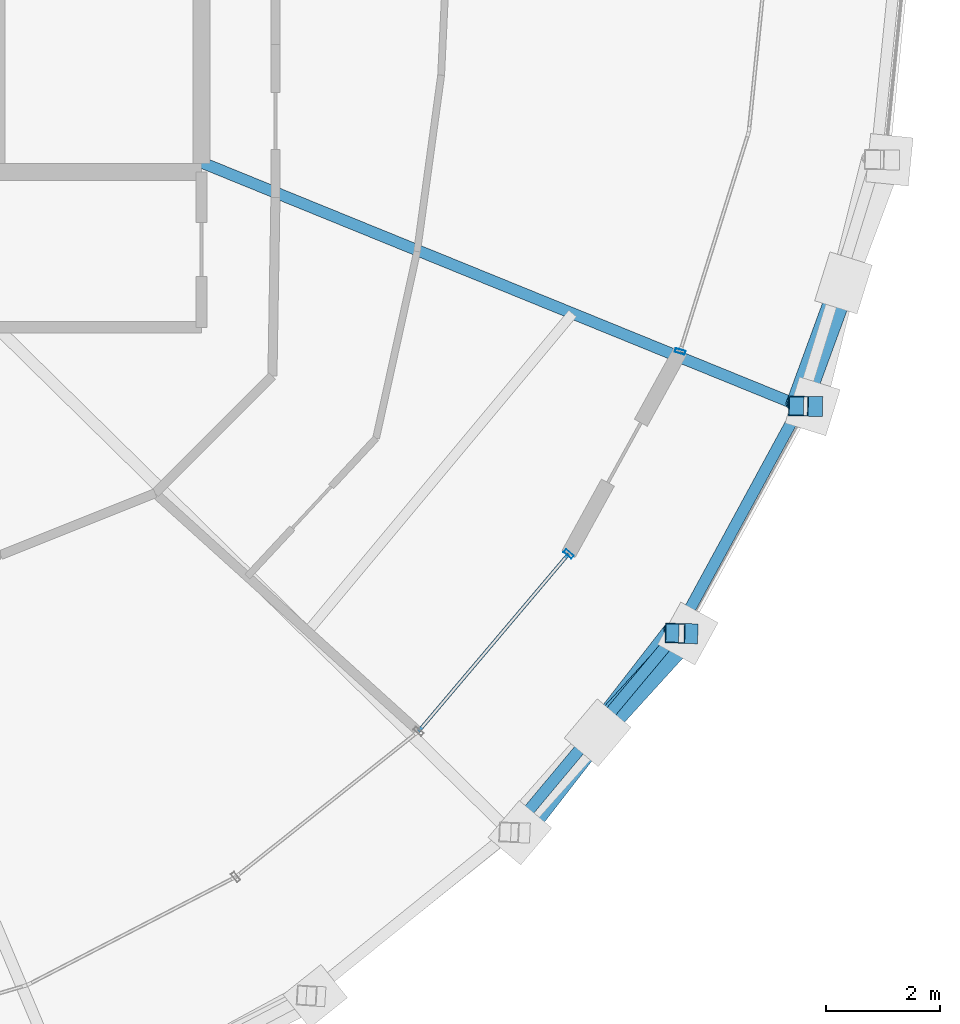
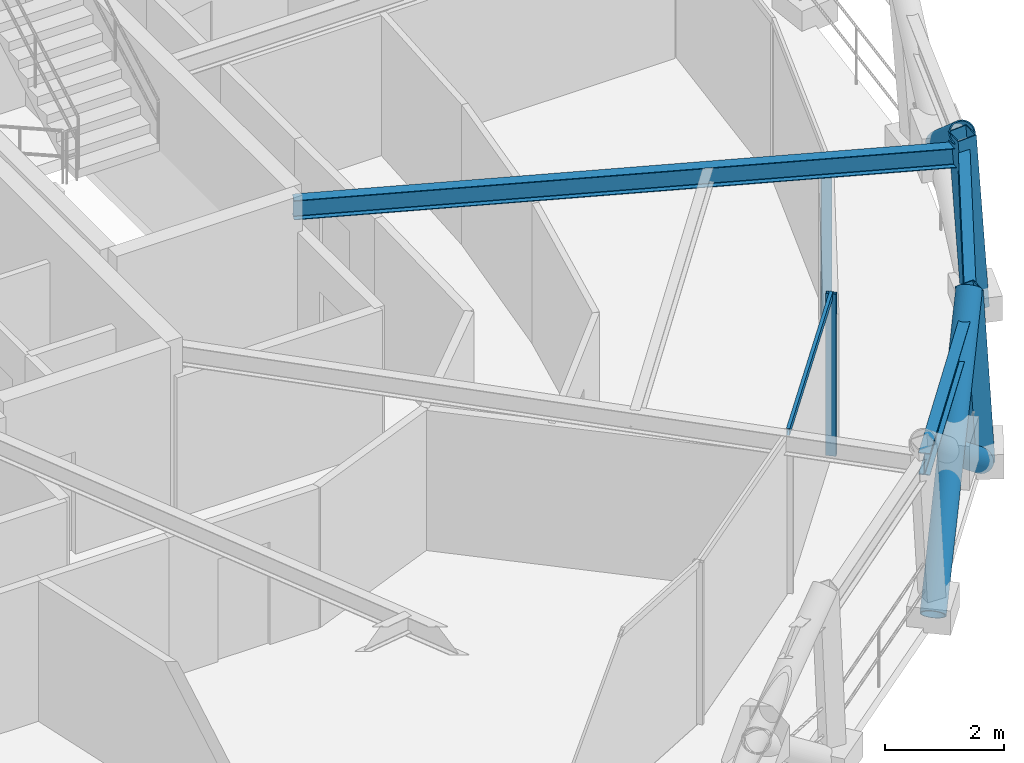
# One storey, part 5 of 16: 8 members, 3 beams, 2 elements without a shape of their own.
"""IFC4 building model written with IfcOpenShell, lengths in metres."""

from ifc_helpers import new_model, si_unit, direction, frame, origin, origin_2d, place, context, subcontext, project, spatial, hollow_rectangle, hollow_circle, i_section, extrude, material, layer, layer_set, material_profile, profile_set, type_object, element, aggregate, save


model = new_model("IFC4")

# Units and contexts
model_context = context("Model", 3, precision=1e-05, world=origin(), true_north=direction((0.0, 1.0)))
body_context = subcontext(model_context, "Body", "Model", "MODEL_VIEW")
ifc_project = project(units=[si_unit("LENGTHUNIT", "METRE"), si_unit("AREAUNIT", "SQUARE_METRE"), si_unit("VOLUMEUNIT", "CUBIC_METRE"), si_unit("PLANEANGLEUNIT", "RADIAN"), si_unit("MASSUNIT", "GRAM", prefix="KILO")], contexts=[model_context])

# Site, building, storey
site_placement = place(None, origin())
site = spatial("IfcSite", under=ifc_project, at=site_placement, CompositionType="ELEMENT")
building_placement = place(site_placement, origin())
building = spatial("IfcBuilding", under=site, at=building_placement, Name="Veldorina Hangang Commons", CompositionType="ELEMENT")
storey_placement = place(building_placement, frame((0.0, 0.0, 240.0)))
storey = spatial("IfcBuildingStorey", under=building, at=storey_placement, Name="L62", CompositionType="ELEMENT", Elevation=240.0)

# Beams
ifc_material_1 = material(Name="Steel SM355-TMC", Category="steel")
ifc_material_profile_1 = material_profile(ifc_material_1, i_section(OverallWidth=0.199951171875, OverallDepth=0.39990234375, WebThickness=0.008056640625, FlangeThickness=0.012939453125, FilletRadius=0.012939453125, at=origin_2d()), Name="H-400x200x8x13")
ifc_profile_set_1 = profile_set([ifc_material_profile_1], Name="Steel SM355-TMC")
beam_type_1 = type_object("IfcBeamType", Name="BM-FG400", PredefinedType="BEAM", material=ifc_profile_set_1)
beam_1_placement = place(storey_placement, frame((43.179931640625, 19.448974609375, 3.159912109375), z_axis=(0.926204970576, -0.37702036083, 0.0), x_axis=(0.37702036083, 0.926204970576, 0.0)))
element("IfcBeam", 1, at=beam_1_placement, inside=storey, type_object=beam_type_1, Name="L62 radial floor girder 16", PredefinedType="BEAM", context=body_context, shape_type="SweptSolid", body=[
    extrude(i_section(OverallWidth=0.199951171875, OverallDepth=0.39990234375, WebThickness=0.008056640625, FlangeThickness=0.012939453125, FilletRadius=0.012939453125, at=origin_2d()), origin(), (0.0, 0.0, 1.0), 11.358642578125),
])
ifc_material_profile_2 = material_profile(ifc_material_1, i_section(OverallWidth=0.199951171875, OverallDepth=0.449951171875, WebThickness=0.009033203125, FlangeThickness=0.013916015625, FilletRadius=0.01611328125, at=origin_2d()), Name="H-450x200x9x14")
ifc_profile_set_2 = profile_set([ifc_material_profile_2], Name="Steel SM355-TMC")
beam_type_2 = type_object("IfcBeamType", Name="BM-RB450", PredefinedType="BEAM", material=ifc_profile_set_2)
beam_2_placement = place(storey_placement, frame((48.60888671875, 7.677490234375, 3.135009765625), z_axis=(0.640942886525, 0.767588572227, 0.0), x_axis=(-0.767588572227, 0.640942886525, 0.0)))
element("IfcBeam", 2, at=beam_2_placement, inside=storey, type_object=beam_type_2, Name="L62 perimeter hoop ring beam 28", PredefinedType="BEAM", context=body_context, shape_type="SweptSolid", body=[
    extrude(i_section(OverallWidth=0.199951171875, OverallDepth=0.449951171875, WebThickness=0.009033203125, FlangeThickness=0.013916015625, FilletRadius=0.01611328125, at=origin_2d()), origin(), (0.0, 0.0, 1.0), 4.55712890625),
])
beam_3_placement = place(storey_placement, frame((51.52978515625, 11.175537109375, 3.135009765625), z_axis=(0.477793774257, 0.878472031018, 0.0), x_axis=(-0.878472031018, 0.477793774257, 0.0)))
element("IfcBeam", 3, at=beam_3_placement, inside=storey, type_object=beam_type_2, Name="L62 perimeter hoop ring beam 29", PredefinedType="BEAM", context=body_context, shape_type="SweptSolid", body=[
    extrude(i_section(OverallWidth=0.199951171875, OverallDepth=0.449951171875, WebThickness=0.009033203125, FlangeThickness=0.013916015625, FilletRadius=0.01611328125, at=origin_2d()), origin(), (0.0, 0.0, 1.0), 4.54296875),
])

# Curtain wall, member
ifc_material_2 = material(Name="Glass Low-E Selective", Category="glass")
ifc_layer = layer(ifc_material_2, 0.179931640625)
ifc_layer_set = layer_set([ifc_layer], Name="Glass Low-E Selective")
curtain_wall_type = type_object("IfcCurtainWallType", Name="CW-SYS-Z3", PredefinedType="NOTDEFINED", material=ifc_layer_set)
curtain_wall_1_placement = place(storey_placement, origin())
curtain_wall_1 = element("IfcCurtainWall", 4, at=curtain_wall_1_placement, inside=storey, type_object=curtain_wall_type, Name="L62 unitised curtain wall CW-L62-R1", PredefinedType="NOTDEFINED")
ifc_material_3 = material(Name="Aluminium Anodized AA6063-T6", Category="aluminium")
ifc_material_profile_3 = material_profile(ifc_material_3, hollow_rectangle(XDim=0.070068359375, YDim=0.179931640625, WallThickness=0.00390625, at=origin_2d()), Name="ALU-RHS-180x70x4")
ifc_profile_set_3 = profile_set([ifc_material_profile_3], Name="Aluminium Anodized AA6063-T6")
member_type_1 = type_object("IfcMemberType", Name="CW-MUL-180", PredefinedType="MULLION", material=ifc_profile_set_3)
member_1_placement = place(storey_placement, frame((49.631591796875, 12.56982421875, 0.0), z_axis=(0.0, 0.0, 1.0), x_axis=(-0.645804220899, -0.763503050596, 0.0)))
member_1 = element("IfcMember", 5, at=member_1_placement, type_object=member_type_1, Name="CW-L62-R1 vertical mullion 4", PredefinedType="MULLION", context=body_context, shape_type="SweptSolid", body=[
    extrude(hollow_rectangle(XDim=0.070068359375, YDim=0.179931640625, WallThickness=0.00390625, at=origin_2d()), origin(), (0.0, 0.0, 1.0), 3.320068359375),
])

curtain_wall_2_placement = place(storey_placement, origin())
curtain_wall_2 = element("IfcCurtainWall", 6, at=curtain_wall_2_placement, inside=storey, type_object=curtain_wall_type, Name="L62 unitised curtain wall CW-L62-R2", PredefinedType="NOTDEFINED")
member_2_placement = place(storey_placement, frame((51.59130859375, 16.126708984375, 0.0), z_axis=(0.0, 0.0, 1.0), x_axis=(0.298407850381, 0.954438449996, 0.0)))
member_2 = element("IfcMember", 7, at=member_2_placement, type_object=member_type_1, Name="CW-L62-R2 vertical mullion 1", PredefinedType="MULLION", context=body_context, shape_type="SweptSolid", body=[
    extrude(hollow_rectangle(XDim=0.070068359375, YDim=0.179931640625, WallThickness=0.00390625, at=origin_2d()), origin(), (0.0, 0.0, 1.0), 3.320068359375),
])
aggregate(curtain_wall_2, [member_2])

# Member
ifc_material_profile_4 = material_profile(ifc_material_3, hollow_rectangle(XDim=0.06005859375, YDim=0.139892578125, WallThickness=0.00341796875, at=origin_2d()), Name="ALU-RHS-140x60x3.5")
ifc_profile_set_4 = profile_set([ifc_material_profile_4], Name="Aluminium Anodized AA6063-T6")
member_type_2 = type_object("IfcMemberType", Name="CW-TRN-140", PredefinedType="USERDEFINED", material=ifc_profile_set_4)
member_3_placement = place(storey_placement, frame((46.994384765625, 9.4521484375, 3.280029296875), z_axis=(0.645824308118, 0.763486059495, 0.0), x_axis=(-0.763486059495, 0.645824308118, 0.0)))
member_3 = element("IfcMember", 8, at=member_3_placement, type_object=member_type_2, Name="CW-L62-R1 facet 4 transom 1", ObjectType="TRANSOM", PredefinedType="USERDEFINED", context=body_context, shape_type="SweptSolid", body=[
    extrude(hollow_rectangle(XDim=0.06005859375, YDim=0.139892578125, WallThickness=0.00341796875, at=origin_2d()), origin(), (0.0, 0.0, 1.0), 4.08349609375),
])

aggregate(curtain_wall_1, [member_1, member_3])

# Members
ifc_material_profile_5 = material_profile(ifc_material_1, hollow_circle(Radius=0.22509765625, WallThickness=0.02197265625, at=origin_2d()), Name="CHS-450x22")
ifc_profile_set_5 = profile_set([ifc_material_profile_5], Name="Steel SM355-TMC")
member_type_3 = type_object("IfcMemberType", Name="DG-CHS450", PredefinedType="BRACE", material=ifc_profile_set_5)
member_4_placement = place(storey_placement, frame((48.7763671875, 7.670166015625, 0.0), z_axis=(0.476553738254, 0.613395302814, 0.629795789952), x_axis=(-0.789683699522, 0.613514184603, 0.0)))
element("IfcMember", 9, at=member_4_placement, inside=storey, type_object=member_type_3, Name="L62 continuous perimeter diagrid brace 28", PredefinedType="BRACE", context=body_context, shape_type="SweptSolid", body=[
    extrude(hollow_circle(Radius=0.22509765625, WallThickness=0.02197265625, at=origin_2d()), origin(), (0.0, 0.0, 1.0), 5.71630859375),
])
member_5_placement = place(storey_placement, frame((51.726806640625, 11.169677734375, 0.0), z_axis=(-0.53412929773, -0.587122560361, 0.608270492809), x_axis=(0.739700783176, -0.672935919214, 0.0)))
element("IfcMember", 10, at=member_5_placement, inside=storey, type_object=member_type_3, Name="L62 split perimeter diagrid lower brace 29", PredefinedType="BRACE", context=body_context, shape_type="SweptSolid", body=[
    extrude(hollow_circle(Radius=0.22509765625, WallThickness=0.02197265625, at=origin_2d()), origin(), (0.0, 0.0, 1.0), 2.966796875),
])
member_6_placement = place(storey_placement, frame((54.46142578125, 17.331298828125, 1.80126953125), z_axis=(-0.271363245563, -0.740195437513, 0.615201351788), x_axis=(0.938893430469, -0.344207969433, 0.0)))
element("IfcMember", 11, at=member_6_placement, inside=storey, type_object=member_type_3, Name="L62 split perimeter diagrid upper brace 31", PredefinedType="BRACE", context=body_context, shape_type="SweptSolid", body=[
    extrude(hollow_circle(Radius=0.22509765625, WallThickness=0.02197265625, at=origin_2d()), origin(), (0.0, 0.0, 1.0), 2.924072265625),
])
ifc_material_profile_6 = material_profile(ifc_material_1, hollow_rectangle(XDim=0.35009765625, YDim=0.35009765625, WallThickness=0.01611328125, at=origin_2d()), Name="SHS-350x350x16")
ifc_profile_set_6 = profile_set([ifc_material_profile_6], Name="Steel SM355-TMC")
member_type_4 = type_object("IfcMemberType", Name="STR-SHS350", PredefinedType="STRUT", material=ifc_profile_set_6)
member_7_placement = place(storey_placement, frame((51.726806640625, 11.169677734375, 0.0), z_axis=(-0.06274054137, 0.001895075683, 0.998028072329), x_axis=(-0.030191193071, -0.999544142027, 0.0)))
element("IfcMember", 12, at=member_7_placement, inside=storey, type_object=member_type_4, Name="L62 perimeter ring node post 29", PredefinedType="STRUT", context=body_context, shape_type="SweptSolid", body=[
    extrude(hollow_rectangle(XDim=0.35009765625, YDim=0.35009765625, WallThickness=0.01611328125, at=origin_2d()), origin(), (0.0, 0.0, 1.0), 3.607177734375),
])
member_8_placement = place(storey_placement, frame((53.91943359375, 15.162353515625, 0.0), z_axis=(-0.069679618288, 0.001285352182, 0.997568593464), x_axis=(-0.018443464264, -0.999829904847, 0.0)))
element("IfcMember", 13, at=member_8_placement, inside=storey, type_object=member_type_4, Name="L62 perimeter ring node post 30", PredefinedType="STRUT", context=body_context, shape_type="SweptSolid", body=[
    extrude(hollow_rectangle(XDim=0.35009765625, YDim=0.35009765625, WallThickness=0.01611328125, at=origin_2d()), origin(), (0.0, 0.0, 1.0), 3.60888671875),
])

save(model, "model.ifc")
